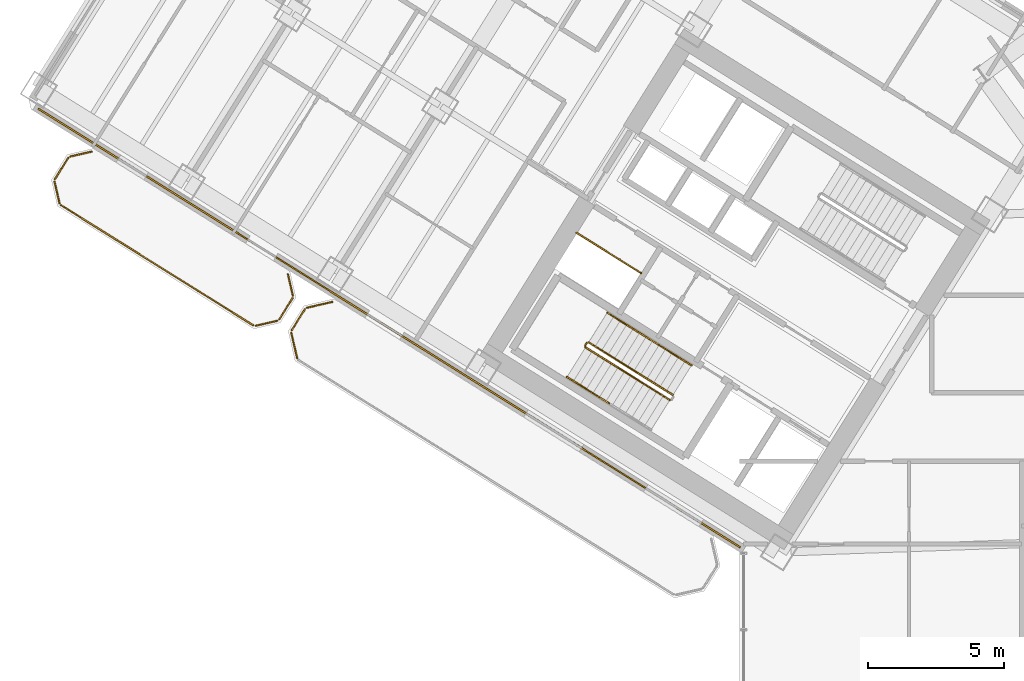
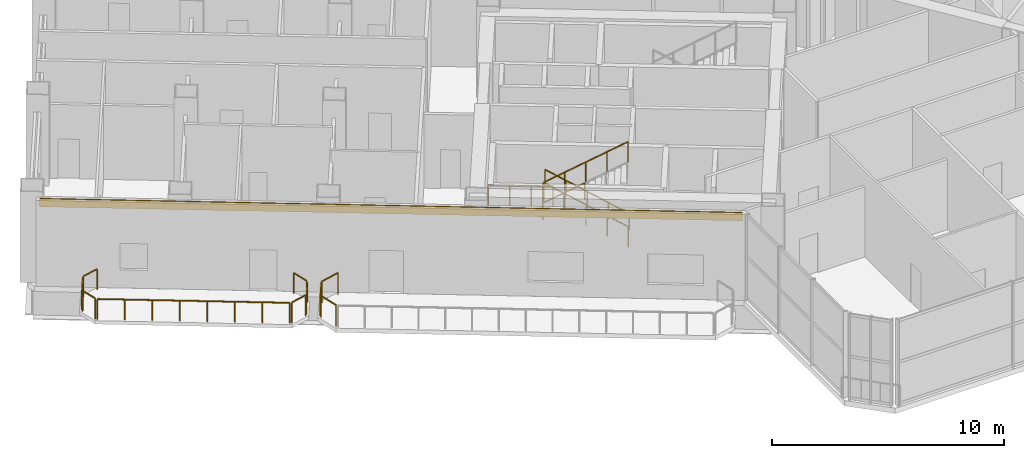
# One storey, part 19 of 22: 17 railings, 1 covering.
"""IFC4 building model written with IfcOpenShell, lengths in metres."""

from ifc_helpers import new_model, si_unit, direction, frame, origin, origin_2d, place, context, subcontext, project, spatial, rectangle, extrude, source, transform, mapped, material, layer, layer_set, type_object, element, save


model = new_model("IFC4")

# Units and contexts
model_context = context("Model", 3, precision=1e-05, world=origin(), true_north=direction((0.0, 1.0)))
body_context = subcontext(model_context, "Body", "Model", "MODEL_VIEW")
ifc_project = project(units=[si_unit("LENGTHUNIT", "METRE"), si_unit("AREAUNIT", "SQUARE_METRE"), si_unit("VOLUMEUNIT", "CUBIC_METRE"), si_unit("PLANEANGLEUNIT", "RADIAN"), si_unit("MASSUNIT", "GRAM", prefix="KILO")], contexts=[model_context])

# Site, building, storey
site_placement = place(None, origin())
site = spatial("IfcSite", under=ifc_project, at=site_placement, CompositionType="ELEMENT")
building_placement = place(site_placement, origin())
building = spatial("IfcBuilding", under=site, at=building_placement, Name="Tlacorven Tower", CompositionType="ELEMENT")
storey_placement = place(building_placement, frame((0.0, 0.0, 71.699951171875)))
storey = spatial("IfcBuildingStorey", under=building, at=storey_placement, Name="L18", CompositionType="ELEMENT", Elevation=71.699951171875)

# Railings
ifc_material_1 = material(Name="Aluminium and painted steel balustrade", Category="steel")
railing_type_1 = type_object("IfcRailingType", Name="RL-GRD-1100", PredefinedType="GUARDRAIL", material=ifc_material_1)
shared_shape_1 = source(origin(), body_context, "Body", "SweptSolid", [
    extrude(rectangle(XDim=0.048095703125, YDim=0.048095703125, at=origin_2d()), frame((0.0, 0.0, 1.076171875), z_axis=(-0.848091358275, 0.529850024081, 0.0), x_axis=(-0.529850024081, -0.848091358275, 0.0)), (0.0, 0.0, 1.0), 2.800048828125),
    extrude(rectangle(XDim=0.0419921875, YDim=0.0419921875, at=origin_2d()), origin(), (0.0, 0.0, 1.0), 1.052001953125),
    extrude(rectangle(XDim=0.0419921875, YDim=0.0419921875, at=origin_2d()), frame((-0.79150390625, 0.49462890625, 0.0)), (0.0, 0.0, 1.0), 1.052001953125),
    extrude(rectangle(XDim=0.0419921875, YDim=0.0419921875, at=origin_2d()), frame((-1.583251953125, 0.989013671875, 0.0)), (0.0, 0.0, 1.0), 1.052001953125),
    extrude(rectangle(XDim=0.0419921875, YDim=0.0419921875, at=origin_2d()), frame((-2.374755859375, 1.483642578125, 0.0)), (0.0, 0.0, 1.0), 1.052001953125),
])
railing_1_placement = place(storey_placement, frame((27.9912109375, 22.32080078125, 0.0)))
element("IfcRailing", 1, at=railing_1_placement, inside=storey, type_object=railing_type_1, Name="L18 Electrical Riser W Shaft Guard 1", PredefinedType="GUARDRAIL", context=body_context, shape_type="MappedRepresentation", body=[
    mapped(shared_shape_1, transform((0.0, 0.0, 0.0), scale=1.0)),
])
railing_type_2 = type_object("IfcRailingType", Name="RL-BAL-1100", PredefinedType="BALUSTRADE", material=ifc_material_1)
shared_shape_2 = source(origin(), body_context, "Body", "SweptSolid", [
    extrude(rectangle(XDim=0.048095703125, YDim=0.048095703125, at=origin_2d()), frame((0.0, 0.0, 1.076171875), z_axis=(0.225058334816, -0.974345290916, 0.0), x_axis=(0.974345290916, 0.225058334816, 0.0)), (0.0, 0.0, 1.0), 0.80712890625),
    extrude(rectangle(XDim=0.0419921875, YDim=0.0419921875, at=origin_2d()), origin(), (0.0, 0.0, 1.0), 1.052001953125),
    extrude(rectangle(XDim=0.0419921875, YDim=0.0419921875, at=origin_2d()), frame((0.181640625, -0.786376953125, 0.0)), (0.0, 0.0, 1.0), 1.052001953125),
])
railing_2_placement = place(storey_placement, frame((15.043212890625, 22.274658203125, 0.0)))
element("IfcRailing", 2, at=railing_2_placement, inside=storey, type_object=railing_type_2, Name="BAL-L18-W-OUT Guard Railing 1", PredefinedType="BALUSTRADE", context=body_context, shape_type="MappedRepresentation", body=[
    mapped(shared_shape_2, transform((0.0, 0.0, 0.0), scale=1.0)),
])
shared_shape_3 = source(origin(), body_context, "Body", "SweptSolid", [
    extrude(rectangle(XDim=0.048095703125, YDim=0.048095703125, at=origin_2d()), frame((0.0, 0.0, 1.076171875), z_axis=(-0.52987865805, -0.848073468364, 0.0), x_axis=(0.848073468364, -0.52987865805, 0.0)), (0.0, 0.0, 1.0), 0.912353515625),
    extrude(rectangle(XDim=0.0419921875, YDim=0.0419921875, at=origin_2d()), origin(), (0.0, 0.0, 1.0), 1.052001953125),
    extrude(rectangle(XDim=0.0419921875, YDim=0.0419921875, at=origin_2d()), frame((-0.4833984375, -0.773681640625, 0.0)), (0.0, 0.0, 1.0), 1.052001953125),
])
railing_3_placement = place(storey_placement, frame((15.20947265625, 21.397216796875, 0.0)))
element("IfcRailing", 3, at=railing_3_placement, inside=storey, type_object=railing_type_2, Name="BAL-L18-W-OUT Guard Railing 2", PredefinedType="BALUSTRADE", context=body_context, shape_type="MappedRepresentation", body=[
    mapped(shared_shape_3, transform((0.0, 0.0, 0.0), scale=1.0)),
])
shared_shape_4 = source(origin(), body_context, "Body", "SweptSolid", [
    extrude(rectangle(XDim=0.048095703125, YDim=0.048095703125, at=origin_2d()), frame((0.0, 0.0, 1.076171875), z_axis=(-0.225058334816, 0.974345290916, 0.0), x_axis=(-0.974345290916, -0.225058334816, 0.0)), (0.0, 0.0, 1.0), 0.80712890625),
    extrude(rectangle(XDim=0.0419921875, YDim=0.0419921875, at=origin_2d()), origin(), (0.0, 0.0, 1.0), 1.052001953125),
    extrude(rectangle(XDim=0.0419921875, YDim=0.0419921875, at=origin_2d()), frame((-0.181640625, 0.786376953125, 0.0)), (0.0, 0.0, 1.0), 1.052001953125),
])
railing_4_placement = place(storey_placement, frame((6.66650390625, 24.88623046875, 0.0)))
element("IfcRailing", 4, at=railing_4_placement, inside=storey, type_object=railing_type_2, Name="BAL-L18-W-OUT Guard Railing 5", PredefinedType="BALUSTRADE", context=body_context, shape_type="MappedRepresentation", body=[
    mapped(shared_shape_4, transform((0.0, 0.0, 0.0), scale=1.0)),
])
shared_shape_5 = source(origin(), body_context, "Body", "SweptSolid", [
    extrude(rectangle(XDim=0.048095703125, YDim=0.048095703125, at=origin_2d()), frame((0.0, 0.0, 1.076171875), z_axis=(-0.974345290916, -0.225058334816, 0.0), x_axis=(0.225058334816, -0.974345290916, 0.0)), (0.0, 0.0, 1.0), 0.80712890625),
    extrude(rectangle(XDim=0.0419921875, YDim=0.0419921875, at=origin_2d()), origin(), (0.0, 0.0, 1.0), 1.052001953125),
    extrude(rectangle(XDim=0.0419921875, YDim=0.0419921875, at=origin_2d()), frame((-0.786376953125, -0.181640625, 0.0)), (0.0, 0.0, 1.0), 1.052001953125),
])
railing_5_placement = place(storey_placement, frame((14.65087890625, 20.570068359375, 0.0)))
element("IfcRailing", 5, at=railing_5_placement, inside=storey, type_object=railing_type_2, Name="BAL-L18-W-OUT Guard Railing 3", PredefinedType="BALUSTRADE", context=body_context, shape_type="MappedRepresentation", body=[
    mapped(shared_shape_5, transform((0.0, 0.0, 0.0), scale=1.0)),
])
shared_shape_6 = source(origin(), body_context, "Body", "SweptSolid", [
    extrude(rectangle(XDim=0.048095703125, YDim=0.048095703125, at=origin_2d()), frame((0.0, 0.0, 1.076171875), z_axis=(0.974411586182, 0.224771129628, 0.0), x_axis=(-0.224771129628, 0.974411586182, 0.0)), (0.0, 0.0, 1.0), 0.80712890625),
    extrude(rectangle(XDim=0.0419921875, YDim=0.0419921875, at=origin_2d()), origin(), (0.0, 0.0, 1.0), 1.052001953125),
    extrude(rectangle(XDim=0.0419921875, YDim=0.0419921875, at=origin_2d()), frame((0.786376953125, 0.181396484375, 0.0)), (0.0, 0.0, 1.0), 1.052001953125),
])
railing_6_placement = place(storey_placement, frame((7.05859375, 26.591064453125, 0.0)))
element("IfcRailing", 6, at=railing_6_placement, inside=storey, type_object=railing_type_2, Name="BAL-L18-W-OUT Guard Railing 7", PredefinedType="BALUSTRADE", context=body_context, shape_type="MappedRepresentation", body=[
    mapped(shared_shape_6, transform((0.0, 0.0, 0.0), scale=1.0)),
])
shared_shape_7 = source(origin(), body_context, "Body", "SweptSolid", [
    extrude(rectangle(XDim=0.048095703125, YDim=0.048095703125, at=origin_2d()), frame((0.0, 0.0, 1.076171875), z_axis=(-0.848049421171, 0.529917143761, 0.0), x_axis=(-0.529917143761, -0.848049421171, 0.0)), (0.0, 0.0, 1.0), 8.3173828125),
    extrude(rectangle(XDim=0.0419921875, YDim=0.0419921875, at=origin_2d()), origin(), (0.0, 0.0, 1.0), 1.052001953125),
    extrude(rectangle(XDim=0.0419921875, YDim=0.0419921875, at=origin_2d()), frame((-1.007568359375, 0.629638671875, 0.0)), (0.0, 0.0, 1.0), 1.052001953125),
    extrude(rectangle(XDim=0.0419921875, YDim=0.0419921875, at=origin_2d()), frame((-2.015380859375, 1.25927734375, 0.0)), (0.0, 0.0, 1.0), 1.052001953125),
    extrude(rectangle(XDim=0.0419921875, YDim=0.0419921875, at=origin_2d()), frame((-3.02294921875, 1.888916015625, 0.0)), (0.0, 0.0, 1.0), 1.052001953125),
    extrude(rectangle(XDim=0.0419921875, YDim=0.0419921875, at=origin_2d()), frame((-4.030517578125, 2.5185546875, 0.0)), (0.0, 0.0, 1.0), 1.052001953125),
    extrude(rectangle(XDim=0.0419921875, YDim=0.0419921875, at=origin_2d()), frame((-5.0380859375, 3.148193359375, 0.0)), (0.0, 0.0, 1.0), 1.052001953125),
    extrude(rectangle(XDim=0.0419921875, YDim=0.0419921875, at=origin_2d()), frame((-6.0458984375, 3.77783203125, 0.0)), (0.0, 0.0, 1.0), 1.052001953125),
    extrude(rectangle(XDim=0.0419921875, YDim=0.0419921875, at=origin_2d()), frame((-7.053466796875, 4.407470703125, 0.0)), (0.0, 0.0, 1.0), 1.052001953125),
])
railing_7_placement = place(storey_placement, frame((13.7734375, 20.403564453125, 0.0)))
element("IfcRailing", 7, at=railing_7_placement, inside=storey, type_object=railing_type_2, Name="BAL-L18-W-OUT Guard Railing 4", PredefinedType="BALUSTRADE", context=body_context, shape_type="MappedRepresentation", body=[
    mapped(shared_shape_7, transform((0.0, 0.0, 0.0), scale=1.0)),
])
shared_shape_8 = source(origin(), body_context, "Body", "SweptSolid", [
    extrude(rectangle(XDim=0.048095703125, YDim=0.048095703125, at=origin_2d()), frame((0.0, 0.0, 1.076171875), z_axis=(0.529998940003, 0.847998304005, 0.0), x_axis=(-0.847998304005, 0.529998940003, 0.0)), (0.0, 0.0, 1.0), 0.912109375),
    extrude(rectangle(XDim=0.0419921875, YDim=0.0419921875, at=origin_2d()), origin(), (0.0, 0.0, 1.0), 1.052001953125),
    extrude(rectangle(XDim=0.0419921875, YDim=0.0419921875, at=origin_2d()), frame((0.4833984375, 0.7734375, 0.0)), (0.0, 0.0, 1.0), 1.052001953125),
])
railing_8_placement = place(storey_placement, frame((6.5, 25.763916015625, 0.0)))
element("IfcRailing", 8, at=railing_8_placement, inside=storey, type_object=railing_type_2, Name="BAL-L18-W-OUT Guard Railing 6", PredefinedType="BALUSTRADE", context=body_context, shape_type="MappedRepresentation", body=[
    mapped(shared_shape_8, transform((0.0, 0.0, 0.0), scale=1.0)),
])
railing_type_3 = type_object("IfcRailingType", Name="RL-GRD-1150", PredefinedType="GUARDRAIL", material=ifc_material_1)
shared_shape_9 = source(origin(), body_context, "Body", "SweptSolid", [
    extrude(rectangle(XDim=0.048095703125, YDim=0.048095703125, at=origin_2d()), frame((0.0, 0.0, 1.1259765625), z_axis=(-0.224991110535, 0.974360816218, 0.0), x_axis=(-0.974360816218, -0.224991110535, 0.0)), (0.0, 0.0, 1.0), 0.948486328125),
    extrude(rectangle(XDim=0.0419921875, YDim=0.0419921875, at=origin_2d()), origin(), (0.0, 0.0, 1.0), 1.101806640625),
    extrude(rectangle(XDim=0.0419921875, YDim=0.0419921875, at=origin_2d()), frame((-0.21337890625, 0.924072265625, 0.0)), (0.0, 0.0, 1.0), 1.101806640625),
])
railing_9_placement = place(storey_placement, frame((15.380126953125, 19.20556640625, 0.0)))
element("IfcRailing", 9, at=railing_9_placement, inside=storey, type_object=railing_type_3, Name="TER-L18-SGW Guard Railing 5", PredefinedType="GUARDRAIL", context=body_context, shape_type="MappedRepresentation", body=[
    mapped(shared_shape_9, transform((0.0, 0.0, 0.0), scale=1.0)),
])
shared_shape_10 = source(origin(), body_context, "Body", "SweptSolid", [
    extrude(rectangle(XDim=0.048095703125, YDim=0.048095703125, at=origin_2d()), frame((0.0, 0.0, 1.1259765625), z_axis=(0.529998940003, 0.847998304005, 0.0), x_axis=(-0.847998304005, 0.529998940003, 0.0)), (0.0, 0.0, 1.0), 0.912109375),
    extrude(rectangle(XDim=0.0419921875, YDim=0.0419921875, at=origin_2d()), origin(), (0.0, 0.0, 1.0), 1.101806640625),
    extrude(rectangle(XDim=0.0419921875, YDim=0.0419921875, at=origin_2d()), frame((0.4833984375, 0.7734375, 0.0)), (0.0, 0.0, 1.0), 1.101806640625),
])
railing_10_placement = place(storey_placement, frame((15.181884765625, 20.220947265625, 0.0)))
element("IfcRailing", 10, at=railing_10_placement, inside=storey, type_object=railing_type_3, Name="TER-L18-SGW Guard Railing 6", PredefinedType="GUARDRAIL", context=body_context, shape_type="MappedRepresentation", body=[
    mapped(shared_shape_10, transform((0.0, 0.0, 0.0), scale=1.0)),
])
shared_shape_11 = source(origin(), body_context, "Body", "SweptSolid", [
    extrude(rectangle(XDim=0.048095703125, YDim=0.048095703125, at=origin_2d()), frame((0.0, 0.0, 1.1259765625), z_axis=(0.974373842523, 0.224934690535, 0.0), x_axis=(-0.224934690535, 0.974373842523, 0.0)), (0.0, 0.0, 1.0), 0.94873046875),
    extrude(rectangle(XDim=0.0419921875, YDim=0.0419921875, at=origin_2d()), origin(), (0.0, 0.0, 1.0), 1.101806640625),
    extrude(rectangle(XDim=0.0419921875, YDim=0.0419921875, at=origin_2d()), frame((0.92431640625, 0.21337890625, 0.0)), (0.0, 0.0, 1.0), 1.101806640625),
])
railing_11_placement = place(storey_placement, frame((15.740478515625, 21.048095703125, 0.0)))
element("IfcRailing", 11, at=railing_11_placement, inside=storey, type_object=railing_type_3, Name="TER-L18-SGW Guard Railing 7", PredefinedType="GUARDRAIL", context=body_context, shape_type="MappedRepresentation", body=[
    mapped(shared_shape_11, transform((0.0, 0.0, 0.0), scale=1.0)),
])

# Covering
ifc_material_2 = material(Name="Precast concrete C45/55", Category="concrete")
ifc_layer = layer(ifc_material_2, 0.06005859375)
ifc_layer_set = layer_set([ifc_layer], Name="Precast concrete C45/55")
covering_type = type_object("IfcCoveringType", Name="CV-CLD-TERC", PredefinedType="CLADDING", material=ifc_layer_set)
shared_shape_12 = source(origin(), body_context, "Body", "SweptSolid", [
    extrude(rectangle(XDim=30.35205078125, YDim=0.06005859375, at=origin_2d()), origin(), (0.0, 0.0, 1.0), 0.419921875),
])
covering_placement = place(storey_placement, frame((18.7626953125, 20.3046875, 4.10009765625), z_axis=(0.0, 0.0, 1.0), x_axis=(-0.848048152806, 0.529919173576, 0.0)))
element("IfcCovering", 12, at=covering_placement, inside=storey, type_object=covering_type, Name="L18 Masonry-Frame Spandrel Cladding 1", PredefinedType="CLADDING", context=body_context, shape_type="MappedRepresentation", body=[
    mapped(shared_shape_12, transform((0.0, 0.0, 0.0), scale=1.0)),
])

# Railings
shared_shape_13 = source(origin(), body_context, "Body", "SweptSolid", [
    extrude(rectangle(XDim=0.048095703125, YDim=0.048095703125, at=origin_2d()), frame((0.0, 0.0, 1.076171875), z_axis=(-0.529084052582, -0.848569422795, 0.0), x_axis=(0.848569422795, -0.529084052582, 0.0)), (0.0, 0.0, 1.0), 0.119873046875),
    extrude(rectangle(XDim=0.0419921875, YDim=0.0419921875, at=origin_2d()), origin(), (0.0, 0.0, 1.0), 1.052001953125),
    extrude(rectangle(XDim=0.0419921875, YDim=0.0419921875, at=origin_2d()), frame((-0.0634765625, -0.101806640625, 0.0)), (0.0, 0.0, 1.0), 1.052001953125),
])
railing_12_placement = place(storey_placement, frame((26.0048828125, 19.764892578125, 2.400146484375)))
element("IfcRailing", 13, at=railing_12_placement, inside=storey, type_object=railing_type_1, Name="L18 ST-W1 stair guard 2", PredefinedType="GUARDRAIL", context=body_context, shape_type="MappedRepresentation", body=[
    mapped(shared_shape_13, transform((0.0, 0.0, 0.0), scale=1.0)),
])
shared_shape_14 = source(origin(), body_context, "Body", "SweptSolid", [
    extrude(rectangle(XDim=0.048095703125, YDim=0.048095703125, at=origin_2d()), frame((0.0, 0.0, 1.076171875), z_axis=(0.723262235119, -0.451953093932, 0.522139962209), x_axis=(0.529926592015, 0.848043517206, 0.0)), (0.0, 0.0, 1.0), 4.26806640625),
    extrude(rectangle(XDim=0.0419921875, YDim=0.0419921875, at=origin_2d()), origin(), (0.0, 0.0, 1.0), 1.052001953125),
    extrude(rectangle(XDim=0.0419921875, YDim=0.0419921875, at=origin_2d()), frame((0.771728515625, -0.482177734375, 0.55712890625)), (0.0, 0.0, 1.0), 1.052001953125),
    extrude(rectangle(XDim=0.0419921875, YDim=0.0419921875, at=origin_2d()), frame((1.54345703125, -0.96435546875, 1.1142578125)), (0.0, 0.0, 1.0), 1.052001953125),
    extrude(rectangle(XDim=0.0419921875, YDim=0.0419921875, at=origin_2d()), frame((2.315185546875, -1.44677734375, 1.67138671875)), (0.0, 0.0, 1.0), 1.052001953125),
    extrude(rectangle(XDim=0.0419921875, YDim=0.0419921875, at=origin_2d()), frame((3.0869140625, -1.928955078125, 2.228515625)), (0.0, 0.0, 1.0), 1.052001953125),
])
railing_13_placement = place(storey_placement, frame((25.957275390625, 19.59423828125, 2.571533203125)))
element("IfcRailing", 14, at=railing_13_placement, inside=storey, type_object=railing_type_1, Name="L18 ST-W1 stair guard 3", PredefinedType="GUARDRAIL", context=body_context, shape_type="MappedRepresentation", body=[
    mapped(shared_shape_14, transform((0.0, 0.0, 0.0), scale=1.0)),
])
railing_type_4 = type_object("IfcRailingType", Name="RL-HND-0900", PredefinedType="HANDRAIL", material=ifc_material_1)
shared_shape_15 = source(origin(), body_context, "Body", "SweptSolid", [
    extrude(rectangle(XDim=0.048095703125, YDim=0.048095703125, at=origin_2d()), frame((0.0, 0.0, 0.8759765625), z_axis=(-0.723243536433, 0.451998610004, 0.522126463189), x_axis=(-0.529974825293, -0.848013375222, 0.0)), (0.0, 0.0, 1.0), 2.134033203125),
    extrude(rectangle(XDim=0.0419921875, YDim=0.0419921875, at=origin_2d()), origin(), (0.0, 0.0, 1.0), 0.851806640625),
    extrude(rectangle(XDim=0.0419921875, YDim=0.0419921875, at=origin_2d()), frame((-0.771728515625, 0.482421875, 0.55712890625)), (0.0, 0.0, 1.0), 0.851806640625),
    extrude(rectangle(XDim=0.0419921875, YDim=0.0419921875, at=origin_2d()), frame((-1.54345703125, 0.964599609375, 1.1142578125)), (0.0, 0.0, 1.0), 0.851806640625),
])
railing_14_placement = place(storey_placement, frame((29.839111328125, 18.937255859375, 0.17138671875)))
element("IfcRailing", 15, at=railing_14_placement, inside=storey, type_object=railing_type_4, Name="L18 ST-W1 stair handrail 1", PredefinedType="HANDRAIL", context=body_context, shape_type="MappedRepresentation", body=[
    mapped(shared_shape_15, transform((0.0, 0.0, 0.0), scale=1.0)),
])
shared_shape_16 = source(origin(), body_context, "Body", "SweptSolid", [
    extrude(rectangle(XDim=0.048095703125, YDim=0.048095703125, at=origin_2d()), frame((0.0, 0.0, 0.8759765625), z_axis=(0.723243536433, -0.451998610004, 0.522126463189), x_axis=(0.529974825293, 0.848013375222, 0.0)), (0.0, 0.0, 1.0), 2.134033203125),
    extrude(rectangle(XDim=0.0419921875, YDim=0.0419921875, at=origin_2d()), origin(), (0.0, 0.0, 1.0), 0.851806640625),
    extrude(rectangle(XDim=0.0419921875, YDim=0.0419921875, at=origin_2d()), frame((0.771728515625, -0.482421875, 0.55712890625)), (0.0, 0.0, 1.0), 0.851806640625),
    extrude(rectangle(XDim=0.0419921875, YDim=0.0419921875, at=origin_2d()), frame((1.54345703125, -0.964599609375, 1.1142578125)), (0.0, 0.0, 1.0), 0.851806640625),
])
railing_15_placement = place(storey_placement, frame((25.27880859375, 18.5087890625, 2.571533203125)))
element("IfcRailing", 16, at=railing_15_placement, inside=storey, type_object=railing_type_4, Name="L18 ST-W1 stair handrail 3", PredefinedType="HANDRAIL", context=body_context, shape_type="MappedRepresentation", body=[
    mapped(shared_shape_16, transform((0.0, 0.0, 0.0), scale=1.0)),
])
shared_shape_17 = source(origin(), body_context, "Body", "SweptSolid", [
    extrude(rectangle(XDim=0.048095703125, YDim=0.048095703125, at=origin_2d()), frame((0.0, 0.0, 1.076171875), z_axis=(-0.723240632901, 0.451939595108, 0.522181567364), x_axis=(-0.529926592015, -0.848043517206, 0.0)), (0.0, 0.0, 1.0), 4.26806640625),
    extrude(rectangle(XDim=0.0419921875, YDim=0.0419921875, at=origin_2d()), origin(), (0.0, 0.0, 1.0), 1.052001953125),
    extrude(rectangle(XDim=0.0419921875, YDim=0.0419921875, at=origin_2d()), frame((-0.771728515625, 0.482177734375, 0.55712890625)), (0.0, 0.0, 1.0), 1.052001953125),
    extrude(rectangle(XDim=0.0419921875, YDim=0.0419921875, at=origin_2d()), frame((-1.54345703125, 0.96435546875, 1.1142578125)), (0.0, 0.0, 1.0), 1.052001953125),
    extrude(rectangle(XDim=0.0419921875, YDim=0.0419921875, at=origin_2d()), frame((-2.315185546875, 1.44677734375, 1.671630859375)), (0.0, 0.0, 1.0), 1.052001953125),
    extrude(rectangle(XDim=0.0419921875, YDim=0.0419921875, at=origin_2d()), frame((-3.0869140625, 1.928955078125, 2.228759765625)), (0.0, 0.0, 1.0), 1.052001953125),
])
railing_16_placement = place(storey_placement, frame((29.16064453125, 17.851806640625, 0.17138671875)))
element("IfcRailing", 17, at=railing_16_placement, inside=storey, type_object=railing_type_1, Name="L18 ST-W1 stair guard 1", PredefinedType="GUARDRAIL", context=body_context, shape_type="MappedRepresentation", body=[
    mapped(shared_shape_17, transform((0.0, 0.0, 0.0), scale=1.0)),
])
shared_shape_18 = source(origin(), body_context, "Body", "SweptSolid", [
    extrude(rectangle(XDim=0.048095703125, YDim=0.048095703125, at=origin_2d()), frame((0.0, 0.0, 0.8759765625), z_axis=(-0.723237724671, 0.451880577736, 0.522236667688), x_axis=(-0.529878353595, -0.848073658589, 0.0)), (0.0, 0.0, 1.0), 2.134033203125),
    extrude(rectangle(XDim=0.0419921875, YDim=0.0419921875, at=origin_2d()), origin(), (0.0, 0.0, 1.0), 0.851806640625),
    extrude(rectangle(XDim=0.0419921875, YDim=0.0419921875, at=origin_2d()), frame((-0.771728515625, 0.482177734375, 0.55712890625)), (0.0, 0.0, 1.0), 0.851806640625),
    extrude(rectangle(XDim=0.0419921875, YDim=0.0419921875, at=origin_2d()), frame((-1.54345703125, 0.96435546875, 1.114501953125)), (0.0, 0.0, 1.0), 0.851806640625),
])
railing_17_placement = place(storey_placement, frame((28.295654296875, 19.90185546875, 1.28564453125)))
element("IfcRailing", 18, at=railing_17_placement, inside=storey, type_object=railing_type_4, Name="L18 ST-W1 stair handrail 2", PredefinedType="HANDRAIL", context=body_context, shape_type="MappedRepresentation", body=[
    mapped(shared_shape_18, transform((0.0, 0.0, 0.0), scale=1.0)),
])

save(model, "model.ifc")
